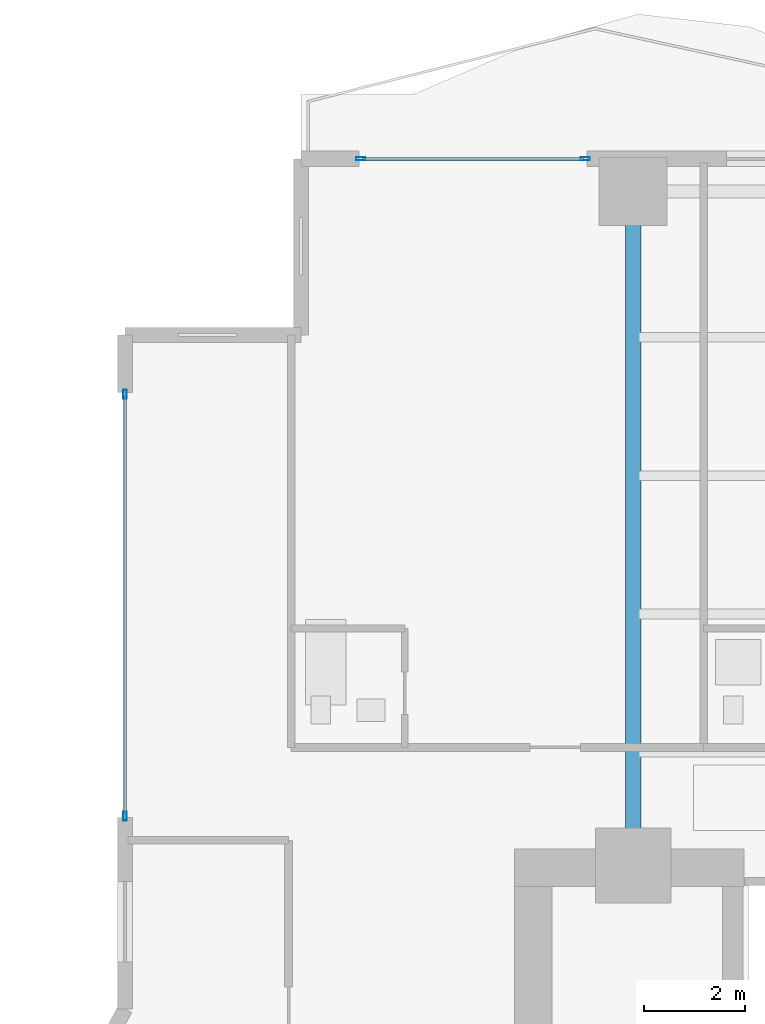
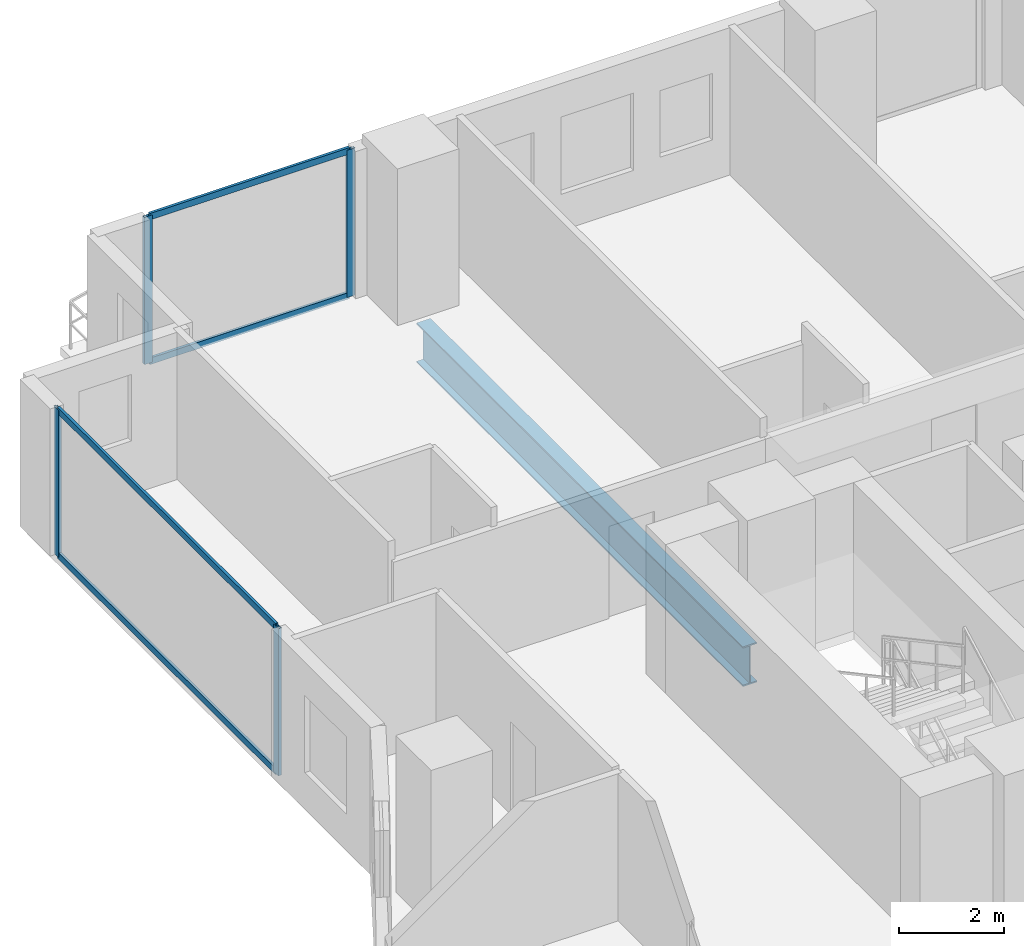
# One storey, part 14 of 28: 8 members, 1 beam, 2 elements without a shape of their own.
"""IFC4 building model written with IfcOpenShell, lengths in metres."""

import ifcopenshell
import ifcopenshell.guid

model = None  # the IFC model being written
_history = None  # IfcOwnerHistory: only IFC2X3 demands one
_inside = {}  # id of a spatial element -> (the spatial element, [elements in it])
_under = {}  # id of a project, library or spatial element -> (it, [spatial elements below it])
_declared = {}  # id of a project -> (the project, [libraries it declares])
_typed = {}  # id of a type object -> (the type object, [elements of that type])
_made_of = {}  # id of a material, layer set ... -> (it, [elements and type objects made of it])


def new_model(schema):
    """Start an empty IFC model of exactly this schema.

    Asked for "IFC4X3", IfcOpenShell would pick the latest addendum, in which some entities
    have other attributes; the version numbers below select the first issue.
    IFC2X3 requires an IfcOwnerHistory on every rooted entity: one is made here for all.
    """
    global model, _history
    if schema == "IFC4X3":
        model = ifcopenshell.file(schema_version=(4, 3, 0, 0))
    else:
        model = ifcopenshell.file(schema=schema)
    _inside.clear()
    _under.clear()
    _declared.clear()
    _typed.clear()
    _made_of.clear()
    _history = None
    if model.schema == "IFC2X3":
        org = make("IfcOrganization", Name="unknown")
        user = make(
            "IfcPersonAndOrganization",
            ThePerson=make("IfcPerson", FamilyName="unknown"),
            TheOrganization=org,
        )
        app = make(
            "IfcApplication",
            ApplicationDeveloper=org,
            Version="unknown",
            ApplicationFullName="unknown",
            ApplicationIdentifier="unknown",
        )
        _history = make(
            "IfcOwnerHistory",
            OwningUser=user,
            OwningApplication=app,
            ChangeAction="ADDED",
            CreationDate=0,
        )
    return model


def make(cls, **values):
    """One entity of the class cls with the attributes given. An attribute that is None is left unset."""
    return model.create_entity(
        cls, **{name: value for name, value in values.items() if value is not None}
    )


def rooted(cls, **values):
    """An entity with a GlobalId (a new one), such as an element, a storey or a relation."""
    return make(cls, GlobalId=ifcopenshell.guid.new(), OwnerHistory=_history, **values)


def si_unit(unit_type, name, prefix=None):
    """IfcSIUnit, for example si_unit("LENGTHUNIT", "METRE", prefix="MILLI")."""
    return make("IfcSIUnit", UnitType=unit_type, Prefix=prefix, Name=name)


def assignment(units):
    """IfcUnitAssignment: the units of a project."""
    return None if units is None else make("IfcUnitAssignment", Units=units)


def point(xyz):
    """IfcCartesianPoint."""
    return None if xyz is None else make("IfcCartesianPoint", Coordinates=xyz)


def direction(xyz):
    """IfcDirection."""
    return None if xyz is None else make("IfcDirection", DirectionRatios=xyz)


def frame(location, z_axis=None, x_axis=None):
    """IfcAxis2Placement3D, a coordinate frame: its origin and axes. An axis left out is left unset."""
    return make(
        "IfcAxis2Placement3D",
        Location=point(location),
        Axis=direction(z_axis),
        RefDirection=direction(x_axis),
    )


def frame_2d(location, x_axis=None):
    """IfcAxis2Placement2D, a coordinate frame in the plane: its origin and x axis."""
    return make(
        "IfcAxis2Placement2D", Location=point(location), RefDirection=direction(x_axis)
    )


def origin():
    """The frame at (0, 0, 0) with its axes left unset."""
    return frame((0.0, 0.0, 0.0))


def origin_2d():
    """The frame at (0, 0) in the plane with its x axis left unset."""
    return frame_2d((0.0, 0.0))


def place(relative_to, where):
    """IfcLocalPlacement: puts the frame where relative to a parent placement (None: the world)."""
    return make(
        "IfcLocalPlacement", PlacementRelTo=relative_to, RelativePlacement=where
    )


def context(
    kind, dimensions, precision=None, world=None, true_north=None, identifier=None
):
    """IfcGeometricRepresentationContext, for example the 3D "Model" context."""
    return make(
        "IfcGeometricRepresentationContext",
        ContextIdentifier=identifier,
        ContextType=kind,
        CoordinateSpaceDimension=dimensions,
        Precision=precision,
        WorldCoordinateSystem=world,
        TrueNorth=true_north,
    )


def subcontext(parent, identifier, kind, view, scale=None):
    """IfcGeometricRepresentationSubContext, for example "Body" below "Model"."""
    return make(
        "IfcGeometricRepresentationSubContext",
        ContextIdentifier=identifier,
        ContextType=kind,
        ParentContext=parent,
        TargetScale=scale,
        TargetView=view,
    )


def project(units=None, contexts=None):
    """IfcProject with its units and contexts."""
    return rooted(
        "IfcProject",
        Name="project",
        RepresentationContexts=contexts,
        UnitsInContext=assignment(units),
    )


def spatial(cls, under=None, at=None, **own):
    """A site, building, storey or space (cls), placed at a placement, below another one or the project."""
    s = rooted(cls, ObjectPlacement=at, **own)
    if under is not None:
        _under.setdefault(under.id(), (under, []))[1].append(s)
    return s


def profile(cls, at=None, kind="AREA", **sizes):
    """A parametric profile (cls). Its sizes go by their IFC names, for example OverallWidth=200.0."""
    return make(cls, ProfileType=kind, Position=at, **sizes)


def hollow_rectangle(**sizes):
    """IfcRectangleHollowProfileDef."""
    return profile("IfcRectangleHollowProfileDef", **sizes)


def i_section(**sizes):
    """IfcIShapeProfileDef."""
    return profile("IfcIShapeProfileDef", **sizes)


def extrude(swept, where, along, depth):
    """IfcExtrudedAreaSolid: the profile swept, set in the frame where, extruded along a direction by depth."""
    return make(
        "IfcExtrudedAreaSolid",
        SweptArea=swept,
        Position=where,
        ExtrudedDirection=direction(along),
        Depth=depth,
    )


def shape(context_of_items, identifier, shape_type, items):
    """IfcShapeRepresentation: the items that make up one representation, for example the "Body"."""
    return make(
        "IfcShapeRepresentation",
        ContextOfItems=context_of_items,
        RepresentationIdentifier=identifier,
        RepresentationType=shape_type,
        Items=items,
    )


def material(Name=None, Category=None):
    """IfcMaterial."""
    return make("IfcMaterial", Name=Name, Category=Category)


def layer(
    of_material, thickness, ventilated=None, Name=None, Category=None, Priority=None
):
    """IfcMaterialLayer: one layer of a wall or slab, of a material (None: an air gap)."""
    return make(
        "IfcMaterialLayer",
        Material=of_material,
        LayerThickness=thickness,
        IsVentilated=ventilated,
        Name=Name,
        Category=Category,
        Priority=Priority,
    )


def layer_set(layers, Name=None):
    """IfcMaterialLayerSet."""
    return make("IfcMaterialLayerSet", MaterialLayers=layers, LayerSetName=Name)


def material_profile(
    of_material, cross_section, Name=None, Category=None, Priority=None
):
    """IfcMaterialProfile: a cross section and its material."""
    return make(
        "IfcMaterialProfile",
        Name=Name,
        Material=of_material,
        Profile=cross_section,
        Priority=Priority,
        Category=Category,
    )


def profile_set(profiles, Name=None, composite=None):
    """IfcMaterialProfileSet."""
    return make(
        "IfcMaterialProfileSet",
        Name=Name,
        MaterialProfiles=profiles,
        CompositeProfile=composite,
    )


def made_of(thing, what):
    """Note that an element or type object is made of a material, layer set ...; save() writes the relation."""
    if what is not None:
        _made_of.setdefault(what.id(), (what, []))[1].append(thing)
    return thing


def type_object(cls, material=None, **own):
    """A type object (cls), such as IfcWallType, which elements share."""
    return made_of(rooted(cls, **own), material)


def element(
    cls,
    number,
    at=None,
    inside=None,
    cuts=None,
    type_object=None,
    material=None,
    context=None,
    identifier="Body",
    shape_type=None,
    held_by="IfcProductDefinitionShape",
    body=None,
    shapes=None,
    **own,
):
    """One element of the class cls, such as IfcWall. Its Tag is "e" and its number.

    at: its placement. inside: the storey or other place that contains it. cuts: it is an
    opening in that element (IfcRelVoidsElement). A single representation is given by context,
    identifier, shape_type and body (its items); several are given by shapes. held_by: the class
    of the entity that holds the representations. save() writes the other relations.
    """
    e = rooted(cls, Tag="e%d" % number, ObjectPlacement=at, **own)
    if body is not None:
        shapes = [shape(context, identifier, shape_type, body)]
    if shapes is not None:
        e.Representation = make(held_by, Representations=shapes)
    if inside is not None:
        _inside.setdefault(inside.id(), (inside, []))[1].append(e)
    if cuts is not None:
        rooted(
            "IfcRelVoidsElement", RelatingBuildingElement=cuts, RelatedOpeningElement=e
        )
    if type_object is not None:
        _typed.setdefault(type_object.id(), (type_object, []))[1].append(e)
    return made_of(e, material)


def aggregate(whole, parts):
    """IfcRelAggregates: a whole, such as a stair, and the parts it consists of."""
    return rooted("IfcRelAggregates", RelatingObject=whole, RelatedObjects=parts)


def save(model, path):
    """Write the relations noted so far, then the file.

    IfcRelAggregates (storeys below a building ...), IfcRelContainedInSpatialStructure (elements
    in a storey), IfcRelDefinesByType, IfcRelAssociatesMaterial and IfcRelDeclares: one each for
    every whole, place, type object, material and project.
    """
    for whole, parts in _under.values():
        aggregate(whole, parts)
    for where, things in _inside.values():
        rooted(
            "IfcRelContainedInSpatialStructure",
            RelatedElements=things,
            RelatingStructure=where,
        )
    for kind, things in _typed.values():
        rooted("IfcRelDefinesByType", RelatedObjects=things, RelatingType=kind)
    for what, things in _made_of.values():
        rooted("IfcRelAssociatesMaterial", RelatedObjects=things, RelatingMaterial=what)
    for by, libraries in _declared.values():
        rooted("IfcRelDeclares", RelatingContext=by, RelatedDefinitions=libraries)
    model.write(path)


model = new_model("IFC4")

# Units and contexts
model_context = context("Model", 3, precision=1e-05, world=origin(), true_north=direction((0.0, 1.0)))
body_context = subcontext(model_context, "Body", "Model", "MODEL_VIEW")
ifc_project = project(units=[si_unit("LENGTHUNIT", "METRE"), si_unit("AREAUNIT", "SQUARE_METRE"), si_unit("VOLUMEUNIT", "CUBIC_METRE"), si_unit("PLANEANGLEUNIT", "RADIAN"), si_unit("MASSUNIT", "GRAM", prefix="KILO")], contexts=[model_context])

# Site, building, storey
site_placement = place(None, origin())
site = spatial("IfcSite", under=ifc_project, at=site_placement, CompositionType="ELEMENT")
building_placement = place(site_placement, origin())
building = spatial("IfcBuilding", under=site, at=building_placement, Name="Zuhayl Quay Hotel", CompositionType="ELEMENT")
storey_placement = place(building_placement, frame((0.0, 0.0, 99.300048828125)))
storey = spatial("IfcBuildingStorey", under=building, at=storey_placement, Name="L24", CompositionType="ELEMENT", Elevation=99.300048828125)

# Beam
ifc_material_1 = material(Name="Steel ASTM A992 Grade 50", Category="steel")
ifc_material_profile_1 = material_profile(ifc_material_1, i_section(OverallWidth=0.306884765625, OverallDepth=0.927001953125, WebThickness=0.019287109375, FlangeThickness=0.031982421875, at=origin_2d()), Name="W36X194")
ifc_profile_set_1 = profile_set([ifc_material_profile_1], Name="Steel ASTM A992 Grade 50")
beam_type = type_object("IfcBeamType", Name="BM_PG2_W36X194", PredefinedType="BEAM", material=ifc_profile_set_1)
beam_placement = place(storey_placement, frame((-13.800048828125, 14.800048828125, -0.68359375), z_axis=(0.0, 1.0, 0.0), x_axis=(-1.0, 0.0, 0.0)))
element("IfcBeam", 1, at=beam_placement, inside=storey, type_object=beam_type, Name="L24 Floor Beam FG_N_L24_1", PredefinedType="BEAM", context=body_context, shape_type="SweptSolid", body=[
    extrude(i_section(OverallWidth=0.306884765625, OverallDepth=0.927001953125, WebThickness=0.019287109375, FlangeThickness=0.031982421875, at=origin_2d()), origin(), (0.0, 0.0, 1.0), 12.449951171875),
])

# Curtain wall, members
ifc_material_2 = material(Name="Anodised Aluminium 6063-T6", Category="aluminium")
ifc_layer = layer(ifc_material_2, 0.179931640625, Name="Anodised Aluminium 6063-T6", Category="aluminium")
ifc_layer_set = layer_set([ifc_layer], Name="Anodised Aluminium 6063-T6")
curtain_wall_type = type_object("IfcCurtainWallType", Name="CW_SYS_Z2", PredefinedType="USERDEFINED", material=ifc_layer_set)
curtain_wall_1_placement = place(storey_placement, origin())
curtain_wall_1 = element("IfcCurtainWall", 2, at=curtain_wall_1_placement, inside=storey, type_object=curtain_wall_type, Name="L24 Curtain Wall ENV_L24_E05_CW1", ObjectType="UNITISED CURTAIN WALL", PredefinedType="USERDEFINED")
ifc_material_3 = material(Name="Black-anodised aluminium 6063-T6", Category="aluminium")
ifc_material_profile_2 = material_profile(ifc_material_3, hollow_rectangle(XDim=0.06494140625, YDim=0.179931640625, WallThickness=0.00341796875, at=origin_2d()), Name="ALU180X65")
ifc_profile_set_2 = profile_set([ifc_material_profile_2], Name="Black-anodised aluminium 6063-T6")
member_type_1 = type_object("IfcMemberType", Name="MB_CW_MUL_180", PredefinedType="MULLION", material=ifc_profile_set_2)
member_1_placement = place(storey_placement, frame((-23.89990234375, 15.33251953125, 0.0), z_axis=(0.0, 0.0, 1.0), x_axis=(-1.0, 0.0, 0.0)))
member_1 = element("IfcMember", 3, at=member_1_placement, type_object=member_type_1, Name="CW-Z2 mullion 1", PredefinedType="MULLION", context=body_context, shape_type="SweptSolid", body=[
    extrude(hollow_rectangle(XDim=0.06494140625, YDim=0.179931640625, WallThickness=0.00341796875, at=origin_2d()), origin(), (0.0, 0.0, 1.0), 3.429931640625),
])
member_2_placement = place(storey_placement, frame((-23.89990234375, 23.717529296875, 0.0), z_axis=(0.0, 0.0, 1.0), x_axis=(-1.0, 0.0, 0.0)))
member_2 = element("IfcMember", 4, at=member_2_placement, type_object=member_type_1, Name="CW-Z2 mullion 2", PredefinedType="MULLION", context=body_context, shape_type="SweptSolid", body=[
    extrude(hollow_rectangle(XDim=0.06494140625, YDim=0.179931640625, WallThickness=0.00341796875, at=origin_2d()), origin(), (0.0, 0.0, 1.0), 3.429931640625),
])

curtain_wall_2_placement = place(storey_placement, origin())
curtain_wall_2 = element("IfcCurtainWall", 5, at=curtain_wall_2_placement, inside=storey, type_object=curtain_wall_type, Name="L24 Curtain Wall ENV_L24_N_CW1", ObjectType="UNITISED CURTAIN WALL", PredefinedType="USERDEFINED")
member_3_placement = place(storey_placement, frame((-19.217529296875, 28.39990234375, 0.0), z_axis=(0.0, 0.0, 1.0), x_axis=(0.0, 1.0, 0.0)))
member_3 = element("IfcMember", 6, at=member_3_placement, type_object=member_type_1, Name="CW-Z2 mullion 1", PredefinedType="MULLION", context=body_context, shape_type="SweptSolid", body=[
    extrude(hollow_rectangle(XDim=0.06494140625, YDim=0.179931640625, WallThickness=0.00341796875, at=origin_2d()), origin(), (0.0, 0.0, 1.0), 3.429931640625),
])
member_4_placement = place(storey_placement, frame((-14.75244140625, 28.39990234375, 0.0), z_axis=(0.0, 0.0, 1.0), x_axis=(0.0, 1.0, 0.0)))
member_4 = element("IfcMember", 7, at=member_4_placement, type_object=member_type_1, Name="CW-Z2 mullion 2", PredefinedType="MULLION", context=body_context, shape_type="SweptSolid", body=[
    extrude(hollow_rectangle(XDim=0.06494140625, YDim=0.179931640625, WallThickness=0.00341796875, at=origin_2d()), origin(), (0.0, 0.0, 1.0), 3.429931640625),
])

# Member
ifc_material_profile_3 = material_profile(ifc_material_3, hollow_rectangle(XDim=0.06005859375, YDim=0.14990234375, WallThickness=0.00341796875, at=origin_2d()), Name="ALU150X60")
ifc_profile_set_3 = profile_set([ifc_material_profile_3], Name="Black-anodised aluminium 6063-T6")
member_type_2 = type_object("IfcMemberType", Name="MB_CW_TRN_150", PredefinedType="USERDEFINED", material=ifc_profile_set_3)
member_5_placement = place(storey_placement, frame((-23.89990234375, 15.364990234375, 0.030029296875), z_axis=(0.0, 1.0, 0.0), x_axis=(-1.0, 0.0, 0.0)))
member_5 = element("IfcMember", 8, at=member_5_placement, type_object=member_type_2, Name="CW-Z2 transom 1.1", ObjectType="TRANSOM", PredefinedType="USERDEFINED", context=body_context, shape_type="SweptSolid", body=[
    extrude(hollow_rectangle(XDim=0.06005859375, YDim=0.14990234375, WallThickness=0.00341796875, at=origin_2d()), origin(), (0.0, 0.0, 1.0), 8.320068359375),
])

member_6_placement = place(storey_placement, frame((-23.89990234375, 15.364990234375, 3.39990234375), z_axis=(0.0, 1.0, 0.0), x_axis=(-1.0, 0.0, 0.0)))
member_6 = element("IfcMember", 9, at=member_6_placement, type_object=member_type_2, Name="CW-Z2 transom 1.2", ObjectType="TRANSOM", PredefinedType="USERDEFINED", context=body_context, shape_type="SweptSolid", body=[
    extrude(hollow_rectangle(XDim=0.06005859375, YDim=0.14990234375, WallThickness=0.00341796875, at=origin_2d()), origin(), (0.0, 0.0, 1.0), 8.320068359375),
])

aggregate(curtain_wall_1, [member_1, member_2, member_5, member_6])

member_7_placement = place(storey_placement, frame((-19.18505859375, 28.39990234375, 0.030029296875), z_axis=(1.0, 0.0, 0.0), x_axis=(0.0, 1.0, 0.0)))
member_7 = element("IfcMember", 10, at=member_7_placement, type_object=member_type_2, Name="CW-Z2 transom 1.1", ObjectType="TRANSOM", PredefinedType="USERDEFINED", context=body_context, shape_type="SweptSolid", body=[
    extrude(hollow_rectangle(XDim=0.06005859375, YDim=0.14990234375, WallThickness=0.00341796875, at=origin_2d()), origin(), (0.0, 0.0, 1.0), 4.400146484375),
])

member_8_placement = place(storey_placement, frame((-19.18505859375, 28.39990234375, 3.39990234375), z_axis=(1.0, 0.0, 0.0), x_axis=(0.0, 1.0, 0.0)))
member_8 = element("IfcMember", 11, at=member_8_placement, type_object=member_type_2, Name="CW-Z2 transom 1.2", ObjectType="TRANSOM", PredefinedType="USERDEFINED", context=body_context, shape_type="SweptSolid", body=[
    extrude(hollow_rectangle(XDim=0.06005859375, YDim=0.14990234375, WallThickness=0.00341796875, at=origin_2d()), origin(), (0.0, 0.0, 1.0), 4.400146484375),
])

aggregate(curtain_wall_2, [member_3, member_4, member_7, member_8])

save(model, "model.ifc")
